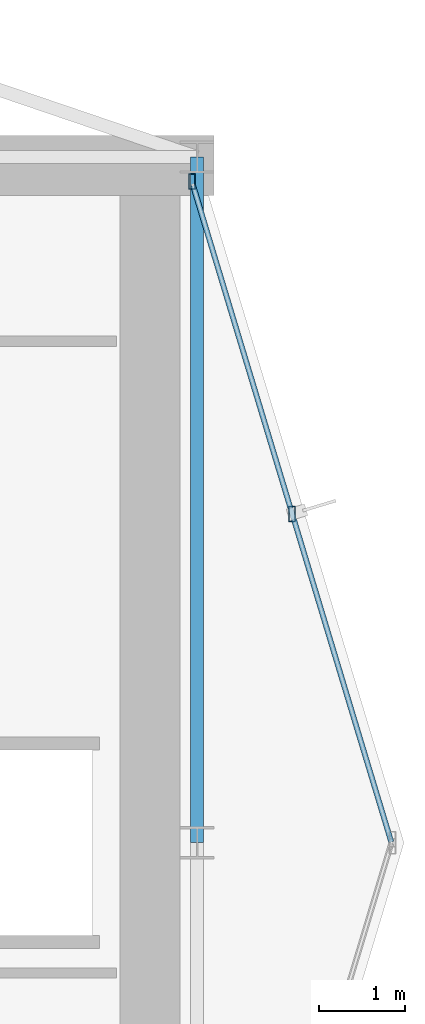
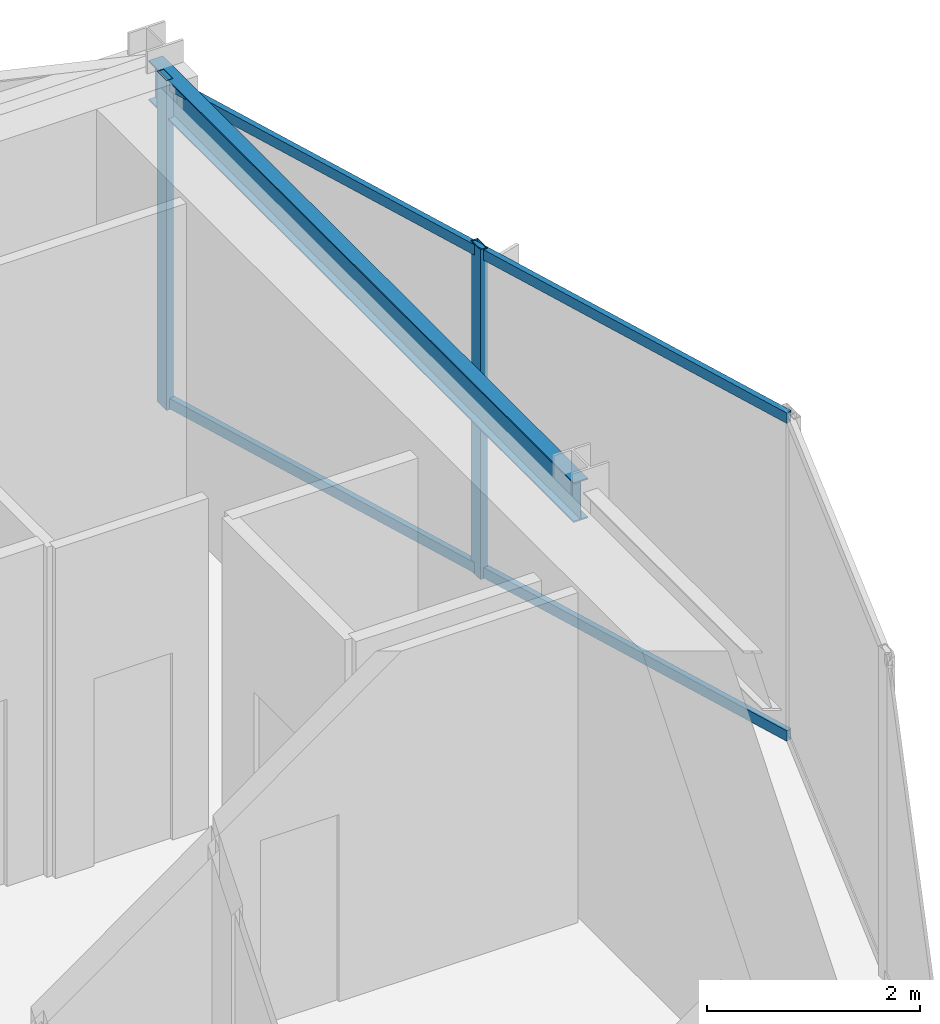
# One storey, part 16 of 22: 4 members, 1 beam, 1 element without a shape of its own.
"""IFC4 building model written with IfcOpenShell, lengths in metres."""

import ifcopenshell
import ifcopenshell.guid

model = None  # the IFC model being written
_history = None  # IfcOwnerHistory: only IFC2X3 demands one
_inside = {}  # id of a spatial element -> (the spatial element, [elements in it])
_under = {}  # id of a project, library or spatial element -> (it, [spatial elements below it])
_declared = {}  # id of a project -> (the project, [libraries it declares])
_typed = {}  # id of a type object -> (the type object, [elements of that type])
_made_of = {}  # id of a material, layer set ... -> (it, [elements and type objects made of it])


def new_model(schema):
    """Start an empty IFC model of exactly this schema.

    Asked for "IFC4X3", IfcOpenShell would pick the latest addendum, in which some entities
    have other attributes; the version numbers below select the first issue.
    IFC2X3 requires an IfcOwnerHistory on every rooted entity: one is made here for all.
    """
    global model, _history
    if schema == "IFC4X3":
        model = ifcopenshell.file(schema_version=(4, 3, 0, 0))
    else:
        model = ifcopenshell.file(schema=schema)
    _inside.clear()
    _under.clear()
    _declared.clear()
    _typed.clear()
    _made_of.clear()
    _history = None
    if model.schema == "IFC2X3":
        org = make("IfcOrganization", Name="unknown")
        user = make(
            "IfcPersonAndOrganization",
            ThePerson=make("IfcPerson", FamilyName="unknown"),
            TheOrganization=org,
        )
        app = make(
            "IfcApplication",
            ApplicationDeveloper=org,
            Version="unknown",
            ApplicationFullName="unknown",
            ApplicationIdentifier="unknown",
        )
        _history = make(
            "IfcOwnerHistory",
            OwningUser=user,
            OwningApplication=app,
            ChangeAction="ADDED",
            CreationDate=0,
        )
    return model


def make(cls, **values):
    """One entity of the class cls with the attributes given. An attribute that is None is left unset."""
    return model.create_entity(
        cls, **{name: value for name, value in values.items() if value is not None}
    )


def rooted(cls, **values):
    """An entity with a GlobalId (a new one), such as an element, a storey or a relation."""
    return make(cls, GlobalId=ifcopenshell.guid.new(), OwnerHistory=_history, **values)


def si_unit(unit_type, name, prefix=None):
    """IfcSIUnit, for example si_unit("LENGTHUNIT", "METRE", prefix="MILLI")."""
    return make("IfcSIUnit", UnitType=unit_type, Prefix=prefix, Name=name)


def assignment(units):
    """IfcUnitAssignment: the units of a project."""
    return None if units is None else make("IfcUnitAssignment", Units=units)


def point(xyz):
    """IfcCartesianPoint."""
    return None if xyz is None else make("IfcCartesianPoint", Coordinates=xyz)


def direction(xyz):
    """IfcDirection."""
    return None if xyz is None else make("IfcDirection", DirectionRatios=xyz)


def frame(location, z_axis=None, x_axis=None):
    """IfcAxis2Placement3D, a coordinate frame: its origin and axes. An axis left out is left unset."""
    return make(
        "IfcAxis2Placement3D",
        Location=point(location),
        Axis=direction(z_axis),
        RefDirection=direction(x_axis),
    )


def frame_2d(location, x_axis=None):
    """IfcAxis2Placement2D, a coordinate frame in the plane: its origin and x axis."""
    return make(
        "IfcAxis2Placement2D", Location=point(location), RefDirection=direction(x_axis)
    )


def origin():
    """The frame at (0, 0, 0) with its axes left unset."""
    return frame((0.0, 0.0, 0.0))


def origin_2d():
    """The frame at (0, 0) in the plane with its x axis left unset."""
    return frame_2d((0.0, 0.0))


def place(relative_to, where):
    """IfcLocalPlacement: puts the frame where relative to a parent placement (None: the world)."""
    return make(
        "IfcLocalPlacement", PlacementRelTo=relative_to, RelativePlacement=where
    )


def context(
    kind, dimensions, precision=None, world=None, true_north=None, identifier=None
):
    """IfcGeometricRepresentationContext, for example the 3D "Model" context."""
    return make(
        "IfcGeometricRepresentationContext",
        ContextIdentifier=identifier,
        ContextType=kind,
        CoordinateSpaceDimension=dimensions,
        Precision=precision,
        WorldCoordinateSystem=world,
        TrueNorth=true_north,
    )


def subcontext(parent, identifier, kind, view, scale=None):
    """IfcGeometricRepresentationSubContext, for example "Body" below "Model"."""
    return make(
        "IfcGeometricRepresentationSubContext",
        ContextIdentifier=identifier,
        ContextType=kind,
        ParentContext=parent,
        TargetScale=scale,
        TargetView=view,
    )


def project(units=None, contexts=None):
    """IfcProject with its units and contexts."""
    return rooted(
        "IfcProject",
        Name="project",
        RepresentationContexts=contexts,
        UnitsInContext=assignment(units),
    )


def spatial(cls, under=None, at=None, **own):
    """A site, building, storey or space (cls), placed at a placement, below another one or the project."""
    s = rooted(cls, ObjectPlacement=at, **own)
    if under is not None:
        _under.setdefault(under.id(), (under, []))[1].append(s)
    return s


def profile(cls, at=None, kind="AREA", **sizes):
    """A parametric profile (cls). Its sizes go by their IFC names, for example OverallWidth=200.0."""
    return make(cls, ProfileType=kind, Position=at, **sizes)


def hollow_rectangle(**sizes):
    """IfcRectangleHollowProfileDef."""
    return profile("IfcRectangleHollowProfileDef", **sizes)


def i_section(**sizes):
    """IfcIShapeProfileDef."""
    return profile("IfcIShapeProfileDef", **sizes)


def extrude(swept, where, along, depth):
    """IfcExtrudedAreaSolid: the profile swept, set in the frame where, extruded along a direction by depth."""
    return make(
        "IfcExtrudedAreaSolid",
        SweptArea=swept,
        Position=where,
        ExtrudedDirection=direction(along),
        Depth=depth,
    )


def shape(context_of_items, identifier, shape_type, items):
    """IfcShapeRepresentation: the items that make up one representation, for example the "Body"."""
    return make(
        "IfcShapeRepresentation",
        ContextOfItems=context_of_items,
        RepresentationIdentifier=identifier,
        RepresentationType=shape_type,
        Items=items,
    )


def material(Name=None, Category=None):
    """IfcMaterial."""
    return make("IfcMaterial", Name=Name, Category=Category)


def layer(
    of_material, thickness, ventilated=None, Name=None, Category=None, Priority=None
):
    """IfcMaterialLayer: one layer of a wall or slab, of a material (None: an air gap)."""
    return make(
        "IfcMaterialLayer",
        Material=of_material,
        LayerThickness=thickness,
        IsVentilated=ventilated,
        Name=Name,
        Category=Category,
        Priority=Priority,
    )


def layer_set(layers, Name=None):
    """IfcMaterialLayerSet."""
    return make("IfcMaterialLayerSet", MaterialLayers=layers, LayerSetName=Name)


def material_profile(
    of_material, cross_section, Name=None, Category=None, Priority=None
):
    """IfcMaterialProfile: a cross section and its material."""
    return make(
        "IfcMaterialProfile",
        Name=Name,
        Material=of_material,
        Profile=cross_section,
        Priority=Priority,
        Category=Category,
    )


def profile_set(profiles, Name=None, composite=None):
    """IfcMaterialProfileSet."""
    return make(
        "IfcMaterialProfileSet",
        Name=Name,
        MaterialProfiles=profiles,
        CompositeProfile=composite,
    )


def made_of(thing, what):
    """Note that an element or type object is made of a material, layer set ...; save() writes the relation."""
    if what is not None:
        _made_of.setdefault(what.id(), (what, []))[1].append(thing)
    return thing


def type_object(cls, material=None, **own):
    """A type object (cls), such as IfcWallType, which elements share."""
    return made_of(rooted(cls, **own), material)


def element(
    cls,
    number,
    at=None,
    inside=None,
    cuts=None,
    type_object=None,
    material=None,
    context=None,
    identifier="Body",
    shape_type=None,
    held_by="IfcProductDefinitionShape",
    body=None,
    shapes=None,
    **own,
):
    """One element of the class cls, such as IfcWall. Its Tag is "e" and its number.

    at: its placement. inside: the storey or other place that contains it. cuts: it is an
    opening in that element (IfcRelVoidsElement). A single representation is given by context,
    identifier, shape_type and body (its items); several are given by shapes. held_by: the class
    of the entity that holds the representations. save() writes the other relations.
    """
    e = rooted(cls, Tag="e%d" % number, ObjectPlacement=at, **own)
    if body is not None:
        shapes = [shape(context, identifier, shape_type, body)]
    if shapes is not None:
        e.Representation = make(held_by, Representations=shapes)
    if inside is not None:
        _inside.setdefault(inside.id(), (inside, []))[1].append(e)
    if cuts is not None:
        rooted(
            "IfcRelVoidsElement", RelatingBuildingElement=cuts, RelatedOpeningElement=e
        )
    if type_object is not None:
        _typed.setdefault(type_object.id(), (type_object, []))[1].append(e)
    return made_of(e, material)


def aggregate(whole, parts):
    """IfcRelAggregates: a whole, such as a stair, and the parts it consists of."""
    return rooted("IfcRelAggregates", RelatingObject=whole, RelatedObjects=parts)


def save(model, path):
    """Write the relations noted so far, then the file.

    IfcRelAggregates (storeys below a building ...), IfcRelContainedInSpatialStructure (elements
    in a storey), IfcRelDefinesByType, IfcRelAssociatesMaterial and IfcRelDeclares: one each for
    every whole, place, type object, material and project.
    """
    for whole, parts in _under.values():
        aggregate(whole, parts)
    for where, things in _inside.values():
        rooted(
            "IfcRelContainedInSpatialStructure",
            RelatedElements=things,
            RelatingStructure=where,
        )
    for kind, things in _typed.values():
        rooted("IfcRelDefinesByType", RelatedObjects=things, RelatingType=kind)
    for what, things in _made_of.values():
        rooted("IfcRelAssociatesMaterial", RelatedObjects=things, RelatingMaterial=what)
    for by, libraries in _declared.values():
        rooted("IfcRelDeclares", RelatingContext=by, RelatedDefinitions=libraries)
    model.write(path)


model = new_model("IFC4")

# Units and contexts
model_context = context("Model", 3, precision=1e-05, world=origin(), true_north=direction((0.0, 1.0)))
body_context = subcontext(model_context, "Body", "Model", "MODEL_VIEW")
ifc_project = project(units=[si_unit("LENGTHUNIT", "METRE"), si_unit("AREAUNIT", "SQUARE_METRE"), si_unit("VOLUMEUNIT", "CUBIC_METRE"), si_unit("PLANEANGLEUNIT", "RADIAN"), si_unit("MASSUNIT", "GRAM", prefix="KILO")], contexts=[model_context])

# Site, building, storey
site_placement = place(None, origin())
site = spatial("IfcSite", under=ifc_project, at=site_placement, CompositionType="ELEMENT")
building_placement = place(site_placement, origin())
building = spatial("IfcBuilding", under=site, at=building_placement, Name="Veymaron Broadcast Tower", CompositionType="ELEMENT")
storey_placement = place(building_placement, frame((0.0, 0.0, 216.14990234375)))
storey = spatial("IfcBuildingStorey", under=building, at=storey_placement, Name="L50", CompositionType="ELEMENT", Elevation=216.14990234375)

# Beam
ifc_material_1 = material(Name="Structural steel ASTM A992 Gr 50", Category="steel")
ifc_material_profile_1 = material_profile(ifc_material_1, i_section(OverallWidth=0.154052734375, OverallDepth=0.458984375, WebThickness=0.009033203125, FlangeThickness=0.015380859375, at=origin_2d()), Name="W460X68")
ifc_profile_set_1 = profile_set([ifc_material_profile_1], Name="Structural steel ASTM A992 Gr 50")
beam_type = type_object("IfcBeamType", Name="BM-SP2", PredefinedType="SPANDREL", material=ifc_profile_set_1)
beam_placement = place(storey_placement, frame((54.60009765625, 24.0, 3.560546875), z_axis=(0.0, 1.0, 0.0), x_axis=(-1.0, 0.0, 0.0)))
element("IfcBeam", 1, at=beam_placement, inside=storey, type_object=beam_type, Name="L50 primary structural floor girder", PredefinedType="SPANDREL", context=body_context, shape_type="SweptSolid", body=[
    extrude(i_section(OverallWidth=0.154052734375, OverallDepth=0.458984375, WebThickness=0.009033203125, FlangeThickness=0.015380859375, at=origin_2d()), origin(), (0.0, 0.0, 1.0), 8.0),
])

# Curtain wall, members
ifc_material_2 = material(Name="Anodised aluminium AA 6063-T6 and laminated low-E dark glass", Category="aluminium")
ifc_layer = layer(ifc_material_2, 0.179931640625)
ifc_layer_set = layer_set([ifc_layer], Name="Anodised aluminium AA 6063-T6 and laminated low-E dark glass")
curtain_wall_type = type_object("IfcCurtainWallType", Name="CW-SYS-05", PredefinedType="NOTDEFINED", material=ifc_layer_set)
curtain_wall_placement = place(storey_placement, origin())
curtain_wall = element("IfcCurtainWall", 2, at=curtain_wall_placement, inside=storey, type_object=curtain_wall_type, Name="L50 dark-glass curtain wall CW-L50-E3-1", PredefinedType="NOTDEFINED")
ifc_material_3 = material(Name="Anodised aluminium AA 6063-T6", Category="aluminium")
ifc_material_profile_2 = material_profile(ifc_material_3, hollow_rectangle(XDim=0.074951171875, YDim=0.179931640625, WallThickness=0.0048828125, at=origin_2d()), Name="AL180X75X5")
ifc_profile_set_2 = profile_set([ifc_material_profile_2], Name="Anodised aluminium AA 6063-T6")
member_type_1 = type_object("IfcMemberType", Name="CW-MUL-02", PredefinedType="MULLION", material=ifc_profile_set_2)
member_1_placement = place(storey_placement, frame((55.710205078125, 27.837646484375, 0.0), z_axis=(0.0, 0.0, 1.0), x_axis=(1.0, 0.0, 0.0)))
member_1 = element("IfcMember", 3, at=member_1_placement, type_object=member_type_1, Name="CW-L50-E3-1 mullion 1", PredefinedType="MULLION", context=body_context, shape_type="SweptSolid", body=[
    extrude(hollow_rectangle(XDim=0.074951171875, YDim=0.179931640625, WallThickness=0.0048828125, at=origin_2d()), origin(), (0.0, 0.0, 1.0), 3.7900390625),
])
member_2_placement = place(storey_placement, frame((54.53955078125, 31.716064453125, 0.0), z_axis=(0.0, 0.0, 1.0), x_axis=(1.0, 0.0, 0.0)))
member_2 = element("IfcMember", 4, at=member_2_placement, type_object=member_type_1, Name="CW-L50-E3-1 mullion 2", PredefinedType="MULLION", context=body_context, shape_type="SweptSolid", body=[
    extrude(hollow_rectangle(XDim=0.074951171875, YDim=0.179931640625, WallThickness=0.0048828125, at=origin_2d()), origin(), (0.0, 0.0, 1.0), 3.7900390625),
])
ifc_material_profile_3 = material_profile(ifc_material_3, hollow_rectangle(XDim=0.06005859375, YDim=0.1201171875, WallThickness=0.00390625, at=origin_2d()), Name="AL120X60X4")
ifc_profile_set_3 = profile_set([ifc_material_profile_3], Name="Anodised aluminium AA 6063-T6")
member_type_2 = type_object("IfcMemberType", Name="CW-TRN-02", PredefinedType="USERDEFINED", material=ifc_profile_set_3)
member_3_placement = place(storey_placement, frame((56.86669921875, 24.00732421875, 0.070068359375), z_axis=(-0.289007229702, 0.957326914476, 0.0), x_axis=(-0.957326914476, -0.289007229702, 0.0)))
member_3 = element("IfcMember", 5, at=member_3_placement, type_object=member_type_2, Name="CW-L50-E3-1 transom B", ObjectType="TRANSOM", PredefinedType="USERDEFINED", context=body_context, shape_type="SweptSolid", body=[
    extrude(hollow_rectangle(XDim=0.06005859375, YDim=0.1201171875, WallThickness=0.00390625, at=origin_2d()), origin(), (0.0, 0.0, 1.0), 8.00244140625),
])
member_4_placement = place(storey_placement, frame((56.86669921875, 24.00732421875, 3.72021484375), z_axis=(-0.289007229702, 0.957326914476, 0.0), x_axis=(-0.957326914476, -0.289007229702, 0.0)))
member_4 = element("IfcMember", 6, at=member_4_placement, type_object=member_type_2, Name="CW-L50-E3-1 transom T", ObjectType="TRANSOM", PredefinedType="USERDEFINED", context=body_context, shape_type="SweptSolid", body=[
    extrude(hollow_rectangle(XDim=0.06005859375, YDim=0.1201171875, WallThickness=0.00390625, at=origin_2d()), origin(), (0.0, 0.0, 1.0), 8.00244140625),
])
aggregate(curtain_wall, [member_1, member_2, member_3, member_4])

save(model, "model.ifc")
